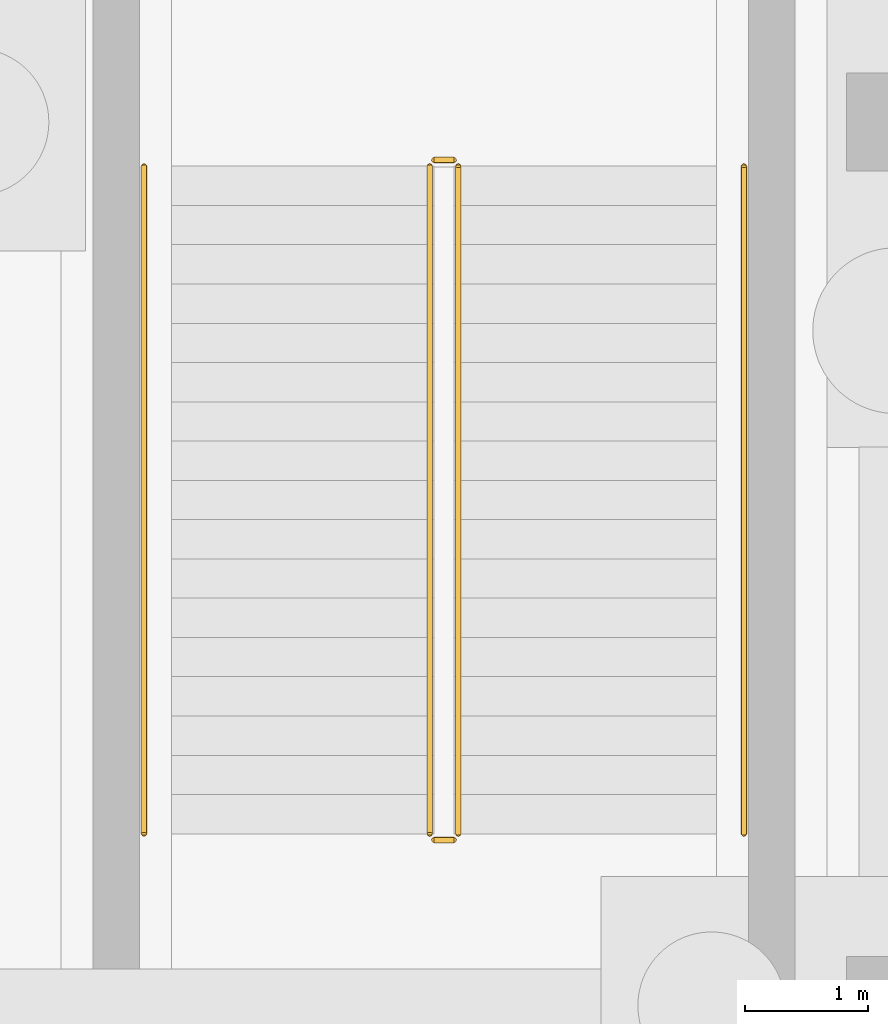
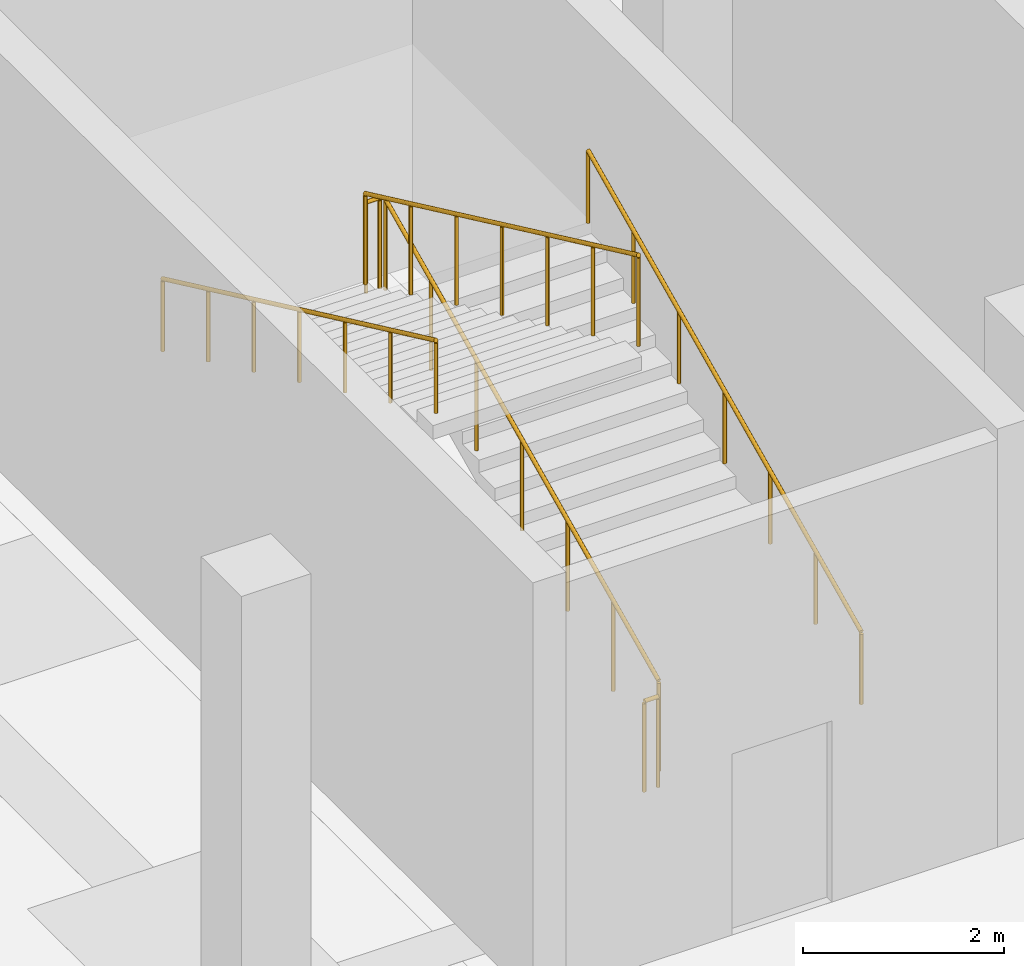
# One storey, part 38 of 39: 6 railings.
"""IFC4 building model written with IfcOpenShell, lengths in metres."""

from ifc_helpers import new_model, si_unit, direction, frame, origin, origin_2d, place, context, subcontext, project, spatial, circle, extrude, material, layer, layer_set, type_object, element, save


model = new_model("IFC4")

# Units and contexts
model_context = context("Model", 3, precision=1e-05, world=origin(), true_north=direction((0.0, 1.0)))
body_context = subcontext(model_context, "Body", "Model", "MODEL_VIEW")
ifc_project = project(units=[si_unit("LENGTHUNIT", "METRE"), si_unit("AREAUNIT", "SQUARE_METRE"), si_unit("VOLUMEUNIT", "CUBIC_METRE"), si_unit("PLANEANGLEUNIT", "RADIAN"), si_unit("MASSUNIT", "GRAM", prefix="KILO")], contexts=[model_context])

# Site, building, storey
site_placement = place(None, origin())
site = spatial("IfcSite", under=ifc_project, at=site_placement, CompositionType="ELEMENT")
building_placement = place(site_placement, origin())
building = spatial("IfcBuilding", under=site, at=building_placement, Name="Celestram Park Convention Centre", CompositionType="ELEMENT")
storey_placement = place(building_placement, frame((0.0, 0.0, -5.39990234375)))
storey = spatial("IfcBuildingStorey", under=building, at=storey_placement, Name="B1", CompositionType="ELEMENT", Elevation=-5.39990234375)

# Railings
ifc_material_1 = material(Name="Stainless Steel AISI 316L & Laminated Glass", Category="steel")
ifc_layer_1 = layer(ifc_material_1, 0.06005859375)
ifc_layer_set_1 = layer_set([ifc_layer_1], Name="Stainless Steel AISI 316L & Laminated Glass")
railing_type_1 = type_object("IfcRailingType", Name="ARC-RL-GRD1120", PredefinedType="GUARDRAIL", material=ifc_layer_set_1)
railing_1_placement = place(storey_placement, frame((131.43603515625, 152.60009765625, 0.14990234375)))
element("IfcRailing", 1, at=railing_1_placement, inside=storey, type_object=railing_type_1, Name="B1 ST-05 stair guard 1", PredefinedType="GUARDRAIL", context=body_context, shape_type="SweptSolid", body=[
    extrude(circle(Radius=0.02392578125, at=origin_2d()), frame((0.0, 0.0, 1.09619140625), z_axis=(0.0, 0.90545405566, 0.424444287379), x_axis=(-1.0, 0.0, 0.0)), (0.0, 0.0, 1.0), 6.008056640625),
    extrude(circle(Radius=0.02099609375, at=origin_2d()), origin(), (0.0, 0.0, 1.0), 1.072021484375),
    extrude(circle(Radius=0.02099609375, at=origin_2d()), frame((0.0, 0.90673828125, 0.425048828125)), (0.0, 0.0, 1.0), 1.072021484375),
    extrude(circle(Radius=0.02099609375, at=origin_2d()), frame((0.0, 1.813232421875, 0.85009765625)), (0.0, 0.0, 1.0), 1.072021484375),
    extrude(circle(Radius=0.02099609375, at=origin_2d()), frame((0.0, 2.719970703125, 1.27490234375)), (0.0, 0.0, 1.0), 1.072021484375),
    extrude(circle(Radius=0.02099609375, at=origin_2d()), frame((0.0, 3.626708984375, 1.699951171875)), (0.0, 0.0, 1.0), 1.072021484375),
    extrude(circle(Radius=0.02099609375, at=origin_2d()), frame((0.0, 4.533203125, 2.125)), (0.0, 0.0, 1.0), 1.072021484375),
    extrude(circle(Radius=0.02099609375, at=origin_2d()), frame((0.0, 5.43994140625, 2.550048828125)), (0.0, 0.0, 1.0), 1.072021484375),
])
railing_2_placement = place(storey_placement, frame((131.39990234375, 158.090087890625, 2.699951171875)))
element("IfcRailing", 2, at=railing_2_placement, inside=storey, type_object=railing_type_1, Name="B1 ST-05 stair guard 2", PredefinedType="GUARDRAIL", context=body_context, shape_type="SweptSolid", body=[
    extrude(circle(Radius=0.02392578125, at=origin_2d()), frame((0.0, 0.0, 1.09619140625), z_axis=(-1.0, 0.0, 0.0), x_axis=(0.0, -1.0, 0.0)), (0.0, 0.0, 1.0), 0.159912109375),
    extrude(circle(Radius=0.02099609375, at=origin_2d()), origin(), (0.0, 0.0, 1.0), 1.072021484375),
    extrude(circle(Radius=0.02099609375, at=origin_2d()), frame((-0.159912109375, 0.0, 0.0)), (0.0, 0.0, 1.0), 1.072021484375),
])
railing_3_placement = place(storey_placement, frame((131.2041015625, 158.0400390625, 2.849853515625)))
element("IfcRailing", 3, at=railing_3_placement, inside=storey, type_object=railing_type_1, Name="B1 ST-05 stair guard 3", PredefinedType="GUARDRAIL", context=body_context, shape_type="SweptSolid", body=[
    extrude(circle(Radius=0.02392578125, at=origin_2d()), frame((0.0, 0.0, 1.09619140625), z_axis=(0.0, -0.90545405566, 0.424444287379), x_axis=(1.0, 0.0, 0.0)), (0.0, 0.0, 1.0), 6.008056640625),
    extrude(circle(Radius=0.02099609375, at=origin_2d()), origin(), (0.0, 0.0, 1.0), 1.072021484375),
    extrude(circle(Radius=0.02099609375, at=origin_2d()), frame((0.0, -0.90673828125, 0.425048828125)), (0.0, 0.0, 1.0), 1.072021484375),
    extrude(circle(Radius=0.02099609375, at=origin_2d()), frame((0.0, -1.813232421875, 0.85009765625)), (0.0, 0.0, 1.0), 1.072021484375),
    extrude(circle(Radius=0.02099609375, at=origin_2d()), frame((0.0, -2.719970703125, 1.27490234375)), (0.0, 0.0, 1.0), 1.072021484375),
    extrude(circle(Radius=0.02099609375, at=origin_2d()), frame((0.0, -3.626708984375, 1.699951171875)), (0.0, 0.0, 1.0), 1.072021484375),
    extrude(circle(Radius=0.02099609375, at=origin_2d()), frame((0.0, -4.533203125, 2.125)), (0.0, 0.0, 1.0), 1.072021484375),
    extrude(circle(Radius=0.02099609375, at=origin_2d()), frame((0.0, -5.43994140625, 2.550048828125)), (0.0, 0.0, 1.0), 1.072021484375),
])
railing_4_placement = place(storey_placement, frame((131.39990234375, 152.550048828125, 0.0)))
element("IfcRailing", 4, at=railing_4_placement, inside=storey, type_object=railing_type_1, Name="B1 ST-05 stair guard 4", PredefinedType="GUARDRAIL", context=body_context, shape_type="SweptSolid", body=[
    extrude(circle(Radius=0.02392578125, at=origin_2d()), frame((0.0, 0.0, 1.09619140625), z_axis=(-1.0, 0.0, 0.0), x_axis=(0.0, -1.0, 0.0)), (0.0, 0.0, 1.0), 0.159912109375),
    extrude(circle(Radius=0.02099609375, at=origin_2d()), origin(), (0.0, 0.0, 1.0), 1.072021484375),
    extrude(circle(Radius=0.02099609375, at=origin_2d()), frame((-0.159912109375, 0.0, 0.0)), (0.0, 0.0, 1.0), 1.072021484375),
])
ifc_material_2 = material(Name="Brushed Stainless Steel AISI 304", Category="steel")
ifc_layer_2 = layer(ifc_material_2, 0.048095703125)
ifc_layer_set_2 = layer_set([ifc_layer_2], Name="Brushed Stainless Steel AISI 304")
railing_type_2 = type_object("IfcRailingType", Name="ARC-RL-HND915", PredefinedType="HANDRAIL", material=ifc_layer_set_2)
railing_5_placement = place(storey_placement, frame((133.763916015625, 152.60009765625, 0.14990234375)))
element("IfcRailing", 5, at=railing_5_placement, inside=storey, type_object=railing_type_2, Name="B1 ST-05 stair handrail 1", PredefinedType="HANDRAIL", context=body_context, shape_type="SweptSolid", body=[
    extrude(circle(Radius=0.02392578125, at=origin_2d()), frame((0.0, 0.0, 0.8759765625), z_axis=(0.0, 0.90545405566, 0.424444287379), x_axis=(-1.0, 0.0, 0.0)), (0.0, 0.0, 1.0), 6.008056640625),
    extrude(circle(Radius=0.02099609375, at=origin_2d()), origin(), (0.0, 0.0, 1.0), 0.851806640625),
    extrude(circle(Radius=0.02099609375, at=origin_2d()), frame((0.0, 0.90673828125, 0.425048828125)), (0.0, 0.0, 1.0), 0.851806640625),
    extrude(circle(Radius=0.02099609375, at=origin_2d()), frame((0.0, 1.813232421875, 0.85009765625)), (0.0, 0.0, 1.0), 0.851806640625),
    extrude(circle(Radius=0.02099609375, at=origin_2d()), frame((0.0, 2.719970703125, 1.27490234375)), (0.0, 0.0, 1.0), 0.851806640625),
    extrude(circle(Radius=0.02099609375, at=origin_2d()), frame((0.0, 3.626708984375, 1.699951171875)), (0.0, 0.0, 1.0), 0.851806640625),
    extrude(circle(Radius=0.02099609375, at=origin_2d()), frame((0.0, 4.533203125, 2.125)), (0.0, 0.0, 1.0), 0.851806640625),
    extrude(circle(Radius=0.02099609375, at=origin_2d()), frame((0.0, 5.43994140625, 2.550048828125)), (0.0, 0.0, 1.0), 0.851806640625),
])
railing_6_placement = place(storey_placement, frame((128.8759765625, 158.0400390625, 2.849853515625)))
element("IfcRailing", 6, at=railing_6_placement, inside=storey, type_object=railing_type_2, Name="B1 ST-05 stair handrail 2", PredefinedType="HANDRAIL", context=body_context, shape_type="SweptSolid", body=[
    extrude(circle(Radius=0.02392578125, at=origin_2d()), frame((0.0, 0.0, 0.8759765625), z_axis=(0.0, -0.90545405566, 0.424444287379), x_axis=(1.0, 0.0, 0.0)), (0.0, 0.0, 1.0), 6.008056640625),
    extrude(circle(Radius=0.02099609375, at=origin_2d()), origin(), (0.0, 0.0, 1.0), 0.851806640625),
    extrude(circle(Radius=0.02099609375, at=origin_2d()), frame((0.0, -0.90673828125, 0.425048828125)), (0.0, 0.0, 1.0), 0.851806640625),
    extrude(circle(Radius=0.02099609375, at=origin_2d()), frame((0.0, -1.813232421875, 0.85009765625)), (0.0, 0.0, 1.0), 0.851806640625),
    extrude(circle(Radius=0.02099609375, at=origin_2d()), frame((0.0, -2.719970703125, 1.27490234375)), (0.0, 0.0, 1.0), 0.851806640625),
    extrude(circle(Radius=0.02099609375, at=origin_2d()), frame((0.0, -3.626708984375, 1.699951171875)), (0.0, 0.0, 1.0), 0.851806640625),
    extrude(circle(Radius=0.02099609375, at=origin_2d()), frame((0.0, -4.533203125, 2.125)), (0.0, 0.0, 1.0), 0.851806640625),
    extrude(circle(Radius=0.02099609375, at=origin_2d()), frame((0.0, -5.43994140625, 2.550048828125)), (0.0, 0.0, 1.0), 0.851806640625),
])

save(model, "model.ifc")
